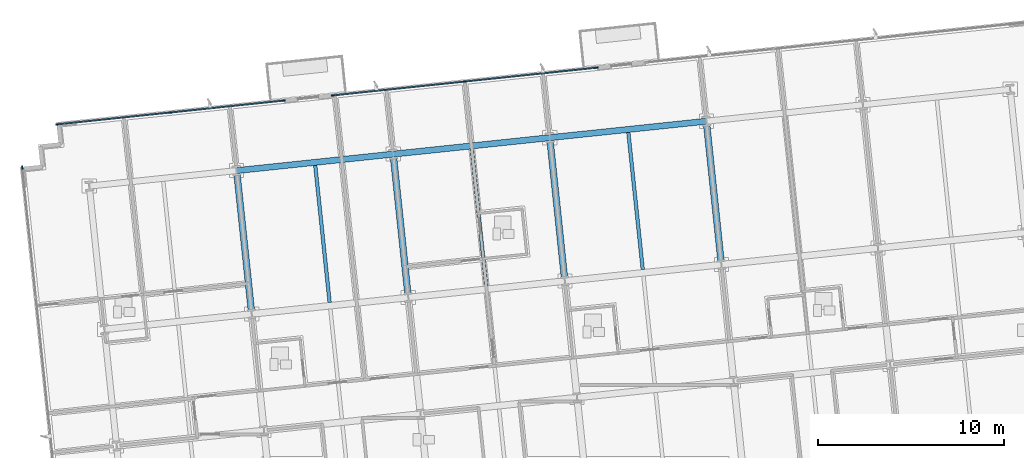
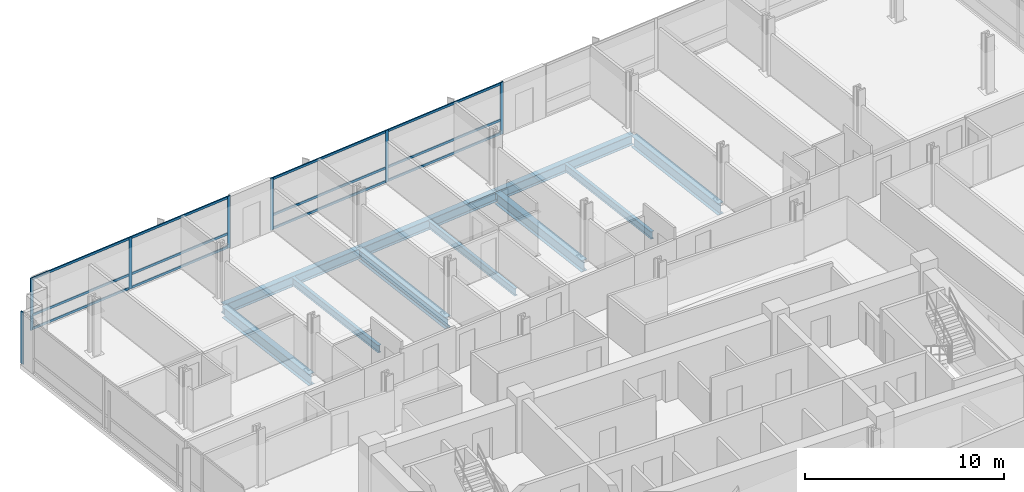
# One storey, part 7 of 20: 19 members, 10 beams, 3 elements without a shape of their own.
"""IFC4 building model written with IfcOpenShell, lengths in metres."""

from ifc_helpers import new_model, si_unit, direction, frame, origin, origin_2d, place, context, subcontext, project, spatial, rectangle, i_section, extrude, material, material_profile, profile_set, type_object, element, aggregate, save


model = new_model("IFC4")

# Units and contexts
model_context = context("Model", 3, precision=1e-05, world=origin(), true_north=direction((0.0, 1.0)))
body_context = subcontext(model_context, "Body", "Model", "MODEL_VIEW")
ifc_project = project(units=[si_unit("LENGTHUNIT", "METRE"), si_unit("AREAUNIT", "SQUARE_METRE"), si_unit("VOLUMEUNIT", "CUBIC_METRE"), si_unit("PLANEANGLEUNIT", "RADIAN"), si_unit("MASSUNIT", "GRAM", prefix="KILO")], contexts=[model_context])

# Site, building, storey
site_placement = place(None, origin())
site = spatial("IfcSite", under=ifc_project, at=site_placement, CompositionType="ELEMENT")
building_placement = place(site_placement, origin())
building = spatial("IfcBuilding", under=site, at=building_placement, Name="Solmavex Isthmus Hotel", CompositionType="ELEMENT")
storey_placement = place(building_placement, frame((0.0, 0.0, 87.0)))
storey = spatial("IfcBuildingStorey", under=building, at=storey_placement, Name="L23", CompositionType="ELEMENT", Elevation=87.0)

# Beams
ifc_material_1 = material(Name="Steel ASTM A992 Grade 50", Category="steel")
ifc_material_profile_1 = material_profile(ifc_material_1, i_section(OverallWidth=0.354736328125, OverallDepth=0.695556640625, WebThickness=0.015380859375, FlangeThickness=0.02490234375, FilletRadius=0.017822265625, at=origin_2d()), Name="W27X146")
ifc_profile_set_1 = profile_set([ifc_material_profile_1], Name="Steel ASTM A992 Grade 50")
beam_type_1 = type_object("IfcBeamType", Name="BM-BG-W27X146", PredefinedType="BEAM", material=ifc_profile_set_1)
for number, where, z_axis, x_axis, name in (
    (1, (-13.135498046875, 8.55859375, -0.607666015625), (-0.1045578893, 0.994518802128, 0.0), (-0.994518802128, -0.1045578893, 0.0), "Floor Beam L23-VG31"),
    (2, (-4.716064453125, 9.443603515625, -0.607666015625), (-0.104525307271, 0.994522227072, 0.0), (-0.994522227072, -0.104525307271, 0.0), "Floor Beam L23-VG35"),
):
    element("IfcBeam", number, at=place(storey_placement, frame(where, z_axis=z_axis, x_axis=x_axis)), inside=storey, type_object=beam_type_1, Name=name, PredefinedType="BEAM", context=body_context, shape_type="SweptSolid", body=[
        extrude(i_section(OverallWidth=0.354736328125, OverallDepth=0.695556640625, WebThickness=0.015380859375, FlangeThickness=0.02490234375, FilletRadius=0.017822265625, at=origin_2d()), origin(), (0.0, 0.0, 1.0), 7.4111328125),
    ])
beam_1_placement = place(storey_placement, frame((3.70361328125, 10.328369140625, -0.607666015625), z_axis=(-0.10452188296, 0.994522586964, 0.0), x_axis=(-0.994522586964, -0.10452188296, 0.0)))
element("IfcBeam", 3, at=beam_1_placement, inside=storey, type_object=beam_type_1, Name="Floor Beam L23-VG39", PredefinedType="BEAM", context=body_context, shape_type="SweptSolid", body=[
    extrude(i_section(OverallWidth=0.354736328125, OverallDepth=0.695556640625, WebThickness=0.015380859375, FlangeThickness=0.02490234375, FilletRadius=0.017822265625, at=origin_2d()), origin(), (0.0, 0.0, 1.0), 7.411376953125),
])
beam_2_placement = place(storey_placement, frame((12.123291015625, 11.21337890625, -0.607666015625), z_axis=(-0.104525307271, 0.994522227072, 0.0), x_axis=(-0.994522227072, -0.104525307271, 0.0)))
element("IfcBeam", 4, at=beam_2_placement, inside=storey, type_object=beam_type_1, Name="Floor Beam L23-VG42", PredefinedType="BEAM", context=body_context, shape_type="SweptSolid", body=[
    extrude(i_section(OverallWidth=0.354736328125, OverallDepth=0.695556640625, WebThickness=0.015380859375, FlangeThickness=0.02490234375, FilletRadius=0.017822265625, at=origin_2d()), origin(), (0.0, 0.0, 1.0), 7.4111328125),
])
ifc_material_profile_2 = material_profile(ifc_material_1, i_section(OverallWidth=0.1904296875, OverallDepth=0.456787109375, WebThickness=0.009033203125, FlangeThickness=0.014404296875, FilletRadius=0.0126953125, at=origin_2d()), Name="W18X50")
ifc_profile_set_2 = profile_set([ifc_material_profile_2], Name="Steel ASTM A992 Grade 50")
beam_type_2 = type_object("IfcBeamType", Name="BM-BJ-W18X50", PredefinedType="JOIST", material=ifc_profile_set_2)
beam_3_placement = place(storey_placement, frame((-8.92578125, 9.0009765625, -0.488525390625), z_axis=(-0.10452188296, 0.994522586964, 0.0), x_axis=(-0.994522586964, -0.10452188296, 0.0)))
element("IfcBeam", 5, at=beam_3_placement, inside=storey, type_object=beam_type_2, Name="Secondary Floor Joist L23-J08", PredefinedType="JOIST", context=body_context, shape_type="SweptSolid", body=[
    extrude(i_section(OverallWidth=0.1904296875, OverallDepth=0.456787109375, WebThickness=0.009033203125, FlangeThickness=0.014404296875, FilletRadius=0.0126953125, at=origin_2d()), origin(), (0.0, 0.0, 1.0), 7.411376953125),
])
for number, where, z_axis, x_axis, name in (
    (6, (-0.506103515625, 9.885986328125, -0.488525390625), (-0.104525307271, 0.994522227072, 0.0), (-0.994522227072, -0.104525307271, 0.0), "Secondary Floor Joist L23-J12"),
    (7, (7.913330078125, 10.77099609375, -0.488525390625), (-0.104525307271, 0.994522227072, 0.0), (-0.994522227072, -0.104525307271, 0.0), "Secondary Floor Joist L23-J15"),
):
    element("IfcBeam", number, at=place(storey_placement, frame(where, z_axis=z_axis, x_axis=x_axis)), inside=storey, type_object=beam_type_2, Name=name, PredefinedType="JOIST", context=body_context, shape_type="SweptSolid", body=[
        extrude(i_section(OverallWidth=0.1904296875, OverallDepth=0.456787109375, WebThickness=0.009033203125, FlangeThickness=0.014404296875, FilletRadius=0.0126953125, at=origin_2d()), origin(), (0.0, 0.0, 1.0), 7.4111328125),
    ])
ifc_material_profile_3 = material_profile(ifc_material_1, i_section(OverallWidth=0.326416015625, OverallDepth=0.621826171875, WebThickness=0.015380859375, FlangeThickness=0.0244140625, FilletRadius=0.01513671875, at=origin_2d()), Name="W24X131")
ifc_profile_set_3 = profile_set([ifc_material_profile_3], Name="Steel ASTM A992 Grade 50")
beam_type_3 = type_object("IfcBeamType", Name="BM-SP-W24X131", PredefinedType="SPANDREL", material=ifc_profile_set_3)
for number, where, z_axis, x_axis, name in (
    (8, (-13.927490234375, 16.091552734375, -0.57080078125), (0.994521085209, 0.104536171134, 0.0), (-0.104536171134, 0.994521085209, 0.0), "Floor Girder L23-UG20"),
    (9, (-5.5078125, 16.9765625, -0.57080078125), (0.994521085209, 0.104536171134, 0.0), (-0.104536171134, 0.994521085209, 0.0), "Floor Girder L23-UG21"),
    (10, (2.911865234375, 17.861572265625, -0.57080078125), (0.994521085209, 0.104536171134, 0.0), (-0.104536171134, 0.994521085209, 0.0), "Floor Girder L23-UG22"),
):
    element("IfcBeam", number, at=place(storey_placement, frame(where, z_axis=z_axis, x_axis=x_axis)), inside=storey, type_object=beam_type_3, Name=name, PredefinedType="SPANDREL", context=body_context, shape_type="SweptSolid", body=[
        extrude(i_section(OverallWidth=0.326416015625, OverallDepth=0.621826171875, WebThickness=0.015380859375, FlangeThickness=0.0244140625, FilletRadius=0.01513671875, at=origin_2d()), origin(), (0.0, 0.0, 1.0), 8.466064453125),
    ])

# Curtain wall, members
ifc_material_2 = material(Name="Aluminium alloy 6063-T6", Category="aluminium")
curtain_wall_type = type_object("IfcCurtainWallType", Name="CW-SYS-03", PredefinedType="NOTDEFINED", material=ifc_material_2)
curtain_wall_1_placement = place(storey_placement, origin())
curtain_wall_1 = element("IfcCurtainWall", 11, at=curtain_wall_1_placement, inside=storey, type_object=curtain_wall_type, Name="Stick Curtain Wall CWL-L23-N1", PredefinedType="NOTDEFINED")
ifc_material_profile_4 = material_profile(ifc_material_2, rectangle(XDim=0.070068359375, YDim=0.179931640625, at=origin_2d()), Name="CWM-70X180")
ifc_profile_set_4 = profile_set([ifc_material_profile_4], Name="Aluminium alloy 6063-T6")
member_type_1 = type_object("IfcMemberType", Name="CW-SYS-03-MUL", PredefinedType="MULLION", material=ifc_profile_set_4)
member_1_placement = place(storey_placement, frame((-23.572998046875, 18.5771484375, 0.0), z_axis=(0.0, 0.0, 1.0), x_axis=(-0.104528123665, 0.994521931062, 0.0)))
member_1 = element("IfcMember", 12, at=member_1_placement, type_object=member_type_1, Name="CW-03 mullion 1", PredefinedType="MULLION", context=body_context, shape_type="SweptSolid", body=[
    extrude(rectangle(XDim=0.070068359375, YDim=0.179931640625, at=origin_2d()), origin(), (0.0, 0.0, 1.0), 3.18994140625),
])
member_2_placement = place(storey_placement, frame((-17.490966796875, 19.21630859375, 0.0), z_axis=(0.0, 0.0, 1.0), x_axis=(-0.104528123665, 0.994521931062, 0.0)))
member_2 = element("IfcMember", 13, at=member_2_placement, type_object=member_type_1, Name="CW-03 mullion 2", PredefinedType="MULLION", context=body_context, shape_type="SweptSolid", body=[
    extrude(rectangle(XDim=0.070068359375, YDim=0.179931640625, at=origin_2d()), origin(), (0.0, 0.0, 1.0), 3.18994140625),
])
member_3_placement = place(storey_placement, frame((-11.408935546875, 19.85546875, 0.0), z_axis=(0.0, 0.0, 1.0), x_axis=(-0.104528123665, 0.994521931062, 0.0)))
member_3 = element("IfcMember", 14, at=member_3_placement, type_object=member_type_1, Name="CW-03 mullion 3", PredefinedType="MULLION", context=body_context, shape_type="SweptSolid", body=[
    extrude(rectangle(XDim=0.070068359375, YDim=0.179931640625, at=origin_2d()), origin(), (0.0, 0.0, 1.0), 3.18994140625),
])

curtain_wall_2_placement = place(storey_placement, origin())
curtain_wall_2 = element("IfcCurtainWall", 15, at=curtain_wall_2_placement, inside=storey, type_object=curtain_wall_type, Name="Stick Curtain Wall CWL-L23-N2", PredefinedType="NOTDEFINED")
member_4_placement = place(storey_placement, frame((-8.753662109375, 20.134521484375, 0.0), z_axis=(0.0, 0.0, 1.0), x_axis=(-0.104528313766, 0.994521911082, 0.0)))
member_4 = element("IfcMember", 16, at=member_4_placement, type_object=member_type_1, Name="CW-03 mullion 1", PredefinedType="MULLION", context=body_context, shape_type="SweptSolid", body=[
    extrude(rectangle(XDim=0.070068359375, YDim=0.179931640625, at=origin_2d()), origin(), (0.0, 0.0, 1.0), 3.18994140625),
])
member_5_placement = place(storey_placement, frame((-1.66162109375, 20.8798828125, 0.0), z_axis=(0.0, 0.0, 1.0), x_axis=(-0.104528313766, 0.994521911082, 0.0)))
member_5 = element("IfcMember", 17, at=member_5_placement, type_object=member_type_1, Name="CW-03 mullion 2", PredefinedType="MULLION", context=body_context, shape_type="SweptSolid", body=[
    extrude(rectangle(XDim=0.070068359375, YDim=0.179931640625, at=origin_2d()), origin(), (0.0, 0.0, 1.0), 3.18994140625),
])
member_6_placement = place(storey_placement, frame((5.43017578125, 21.62548828125, 0.0), z_axis=(0.0, 0.0, 1.0), x_axis=(-0.104528313766, 0.994521911082, 0.0)))
member_6 = element("IfcMember", 18, at=member_6_placement, type_object=member_type_1, Name="CW-03 mullion 3", PredefinedType="MULLION", context=body_context, shape_type="SweptSolid", body=[
    extrude(rectangle(XDim=0.070068359375, YDim=0.179931640625, at=origin_2d()), origin(), (0.0, 0.0, 1.0), 3.18994140625),
])

# Curtain wall, member
curtain_wall_3_placement = place(storey_placement, origin())
curtain_wall_3 = element("IfcCurtainWall", 19, at=curtain_wall_3_placement, inside=storey, type_object=curtain_wall_type, Name="Stick Curtain Wall CWL-L23-W1", PredefinedType="NOTDEFINED")
member_7_placement = place(storey_placement, frame((-25.455322265625, 16.25244140625, 0.0), z_axis=(0.0, 0.0, 1.0), x_axis=(-0.994521893044, -0.104528485381, 0.0)))
member_7 = element("IfcMember", 20, at=member_7_placement, type_object=member_type_1, Name="CW-03 mullion 6", PredefinedType="MULLION", context=body_context, shape_type="SweptSolid", body=[
    extrude(rectangle(XDim=0.070068359375, YDim=0.179931640625, at=origin_2d()), origin(), (0.0, 0.0, 1.0), 3.18994140625),
])
aggregate(curtain_wall_3, [member_7])

# Member
ifc_material_profile_5 = material_profile(ifc_material_2, rectangle(XDim=0.070068359375, YDim=0.139892578125, at=origin_2d()), Name="CWT-70X140")
ifc_profile_set_5 = profile_set([ifc_material_profile_5], Name="Aluminium alloy 6063-T6")
member_type_2 = type_object("IfcMemberType", Name="CW-SYS-03-TRN", PredefinedType="USERDEFINED", material=ifc_profile_set_5)
member_8_placement = place(storey_placement, frame((-23.5380859375, 18.58056640625, 0.070068359375), z_axis=(0.994518943174, 0.104556547709, 0.0), x_axis=(-0.104556547709, 0.994518943174, 0.0)))
member_8 = element("IfcMember", 21, at=member_8_placement, type_object=member_type_2, Name="CW-03 transom 1.1", ObjectType="TRANSOM", PredefinedType="USERDEFINED", context=body_context, shape_type="SweptSolid", body=[
    extrude(rectangle(XDim=0.070068359375, YDim=0.139892578125, at=origin_2d()), origin(), (0.0, 0.0, 1.0), 6.04541015625),
])

member_9_placement = place(storey_placement, frame((-23.5380859375, 18.58056640625, 0.89990234375), z_axis=(0.994518943174, 0.104556547709, 0.0), x_axis=(-0.104556547709, 0.994518943174, 0.0)))
member_9 = element("IfcMember", 22, at=member_9_placement, type_object=member_type_2, Name="CW-03 transom 1.2", ObjectType="TRANSOM", PredefinedType="USERDEFINED", context=body_context, shape_type="SweptSolid", body=[
    extrude(rectangle(XDim=0.070068359375, YDim=0.139892578125, at=origin_2d()), origin(), (0.0, 0.0, 1.0), 6.04541015625),
])

member_10_placement = place(storey_placement, frame((-23.5380859375, 18.58056640625, 3.1201171875), z_axis=(0.994518943174, 0.104556547709, 0.0), x_axis=(-0.104556547709, 0.994518943174, 0.0)))
member_10 = element("IfcMember", 23, at=member_10_placement, type_object=member_type_2, Name="CW-03 transom 1.3", ObjectType="TRANSOM", PredefinedType="USERDEFINED", context=body_context, shape_type="SweptSolid", body=[
    extrude(rectangle(XDim=0.070068359375, YDim=0.139892578125, at=origin_2d()), origin(), (0.0, 0.0, 1.0), 6.04541015625),
])

member_11_placement = place(storey_placement, frame((-17.456298828125, 19.219970703125, 0.070068359375), z_axis=(0.994523582882, 0.104512406403, 0.0), x_axis=(-0.104512406403, 0.994523582882, 0.0)))
member_11 = element("IfcMember", 24, at=member_11_placement, type_object=member_type_2, Name="CW-03 transom 2.1", ObjectType="TRANSOM", PredefinedType="USERDEFINED", context=body_context, shape_type="SweptSolid", body=[
    extrude(rectangle(XDim=0.070068359375, YDim=0.139892578125, at=origin_2d()), origin(), (0.0, 0.0, 1.0), 6.045654296875),
])

member_12_placement = place(storey_placement, frame((-17.456298828125, 19.219970703125, 0.89990234375), z_axis=(0.994523582882, 0.104512406403, 0.0), x_axis=(-0.104512406403, 0.994523582882, 0.0)))
member_12 = element("IfcMember", 25, at=member_12_placement, type_object=member_type_2, Name="CW-03 transom 2.2", ObjectType="TRANSOM", PredefinedType="USERDEFINED", context=body_context, shape_type="SweptSolid", body=[
    extrude(rectangle(XDim=0.070068359375, YDim=0.139892578125, at=origin_2d()), origin(), (0.0, 0.0, 1.0), 6.045654296875),
])

member_13_placement = place(storey_placement, frame((-17.456298828125, 19.219970703125, 3.1201171875), z_axis=(0.994523582882, 0.104512406403, 0.0), x_axis=(-0.104512406403, 0.994523582882, 0.0)))
member_13 = element("IfcMember", 26, at=member_13_placement, type_object=member_type_2, Name="CW-03 transom 2.3", ObjectType="TRANSOM", PredefinedType="USERDEFINED", context=body_context, shape_type="SweptSolid", body=[
    extrude(rectangle(XDim=0.070068359375, YDim=0.139892578125, at=origin_2d()), origin(), (0.0, 0.0, 1.0), 6.045654296875),
])

aggregate(curtain_wall_1, [member_1, member_2, member_3, member_8, member_9, member_10, member_11, member_12, member_13])

member_14_placement = place(storey_placement, frame((-8.71875, 20.13818359375, 0.070068359375), z_axis=(0.994522301958, 0.104524594751, 0.0), x_axis=(-0.104524594751, 0.994522301958, 0.0)))
member_14 = element("IfcMember", 27, at=member_14_placement, type_object=member_type_2, Name="CW-03 transom 1.1", ObjectType="TRANSOM", PredefinedType="USERDEFINED", context=body_context, shape_type="SweptSolid", body=[
    extrude(rectangle(XDim=0.070068359375, YDim=0.139892578125, at=origin_2d()), origin(), (0.0, 0.0, 1.0), 7.060791015625),
])

member_15_placement = place(storey_placement, frame((-8.71875, 20.13818359375, 0.89990234375), z_axis=(0.994522301958, 0.104524594751, 0.0), x_axis=(-0.104524594751, 0.994522301958, 0.0)))
member_15 = element("IfcMember", 28, at=member_15_placement, type_object=member_type_2, Name="CW-03 transom 1.2", ObjectType="TRANSOM", PredefinedType="USERDEFINED", context=body_context, shape_type="SweptSolid", body=[
    extrude(rectangle(XDim=0.070068359375, YDim=0.139892578125, at=origin_2d()), origin(), (0.0, 0.0, 1.0), 7.060791015625),
])

member_16_placement = place(storey_placement, frame((-8.71875, 20.13818359375, 3.1201171875), z_axis=(0.994522301958, 0.104524594751, 0.0), x_axis=(-0.104524594751, 0.994522301958, 0.0)))
member_16 = element("IfcMember", 29, at=member_16_placement, type_object=member_type_2, Name="CW-03 transom 1.3", ObjectType="TRANSOM", PredefinedType="USERDEFINED", context=body_context, shape_type="SweptSolid", body=[
    extrude(rectangle(XDim=0.070068359375, YDim=0.139892578125, at=origin_2d()), origin(), (0.0, 0.0, 1.0), 7.060791015625),
])

member_17_placement = place(storey_placement, frame((-1.626953125, 20.883544921875, 0.070068359375), z_axis=(0.994519085079, 0.104555197931, 0.0), x_axis=(-0.104555197931, 0.994519085079, 0.0)))
member_17 = element("IfcMember", 30, at=member_17_placement, type_object=member_type_2, Name="CW-03 transom 2.1", ObjectType="TRANSOM", PredefinedType="USERDEFINED", context=body_context, shape_type="SweptSolid", body=[
    extrude(rectangle(XDim=0.070068359375, YDim=0.139892578125, at=origin_2d()), origin(), (0.0, 0.0, 1.0), 7.061279296875),
])

member_18_placement = place(storey_placement, frame((-1.626953125, 20.883544921875, 0.89990234375), z_axis=(0.994519085079, 0.104555197931, 0.0), x_axis=(-0.104555197931, 0.994519085079, 0.0)))
member_18 = element("IfcMember", 31, at=member_18_placement, type_object=member_type_2, Name="CW-03 transom 2.2", ObjectType="TRANSOM", PredefinedType="USERDEFINED", context=body_context, shape_type="SweptSolid", body=[
    extrude(rectangle(XDim=0.070068359375, YDim=0.139892578125, at=origin_2d()), origin(), (0.0, 0.0, 1.0), 7.061279296875),
])

member_19_placement = place(storey_placement, frame((-1.626953125, 20.883544921875, 3.1201171875), z_axis=(0.994519085079, 0.104555197931, 0.0), x_axis=(-0.104555197931, 0.994519085079, 0.0)))
member_19 = element("IfcMember", 32, at=member_19_placement, type_object=member_type_2, Name="CW-03 transom 2.3", ObjectType="TRANSOM", PredefinedType="USERDEFINED", context=body_context, shape_type="SweptSolid", body=[
    extrude(rectangle(XDim=0.070068359375, YDim=0.139892578125, at=origin_2d()), origin(), (0.0, 0.0, 1.0), 7.061279296875),
])

aggregate(curtain_wall_2, [member_4, member_5, member_6, member_14, member_15, member_16, member_17, member_18, member_19])

save(model, "model.ifc")
